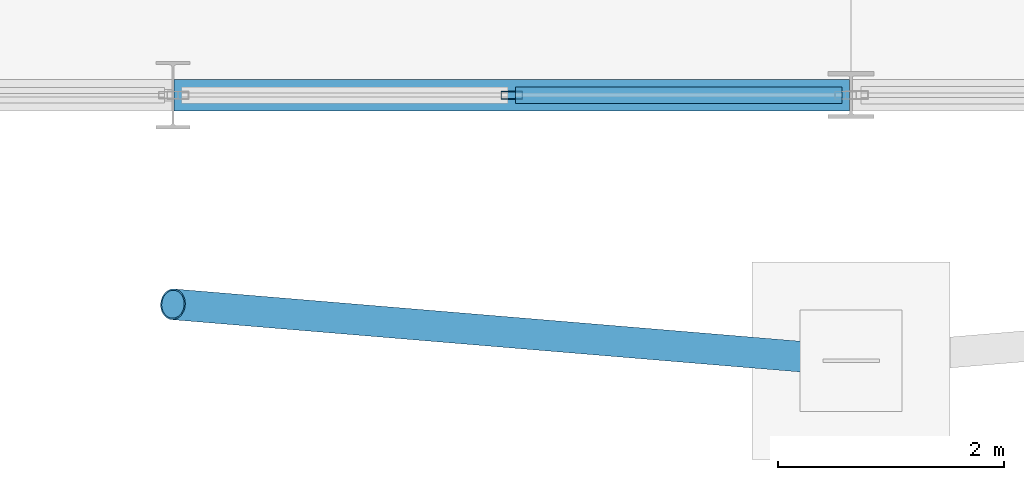
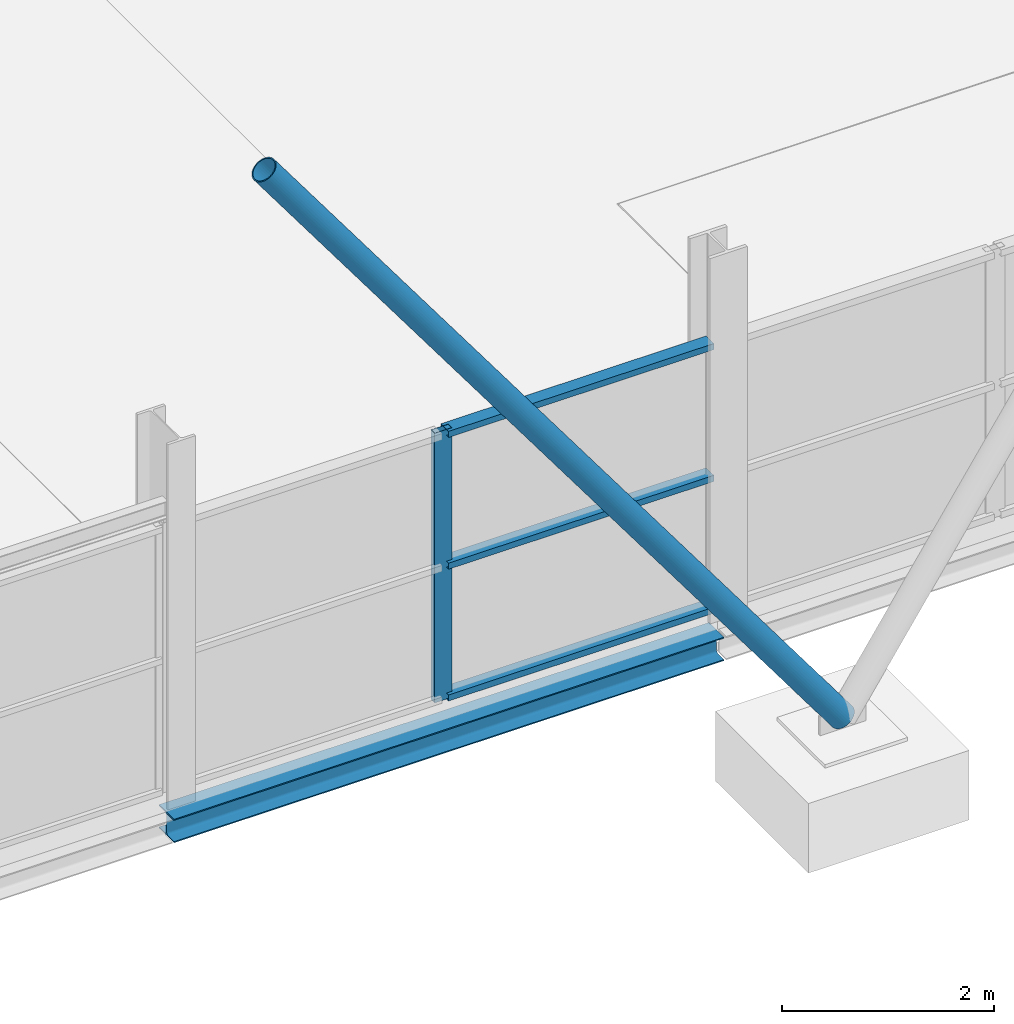
# One storey, part 27 of 140: 5 members, 1 beam, 1 element without a shape of its own.
"""IFC4 building model written with IfcOpenShell, lengths in metres."""

from ifc_helpers import new_model, si_unit, direction, frame, origin, origin_2d, place, context, subcontext, project, spatial, hollow_rectangle, hollow_circle, i_section, extrude, material, layer, layer_set, material_profile, profile_set, type_object, element, aggregate, save


model = new_model("IFC4")

# Units and contexts
model_context = context("Model", 3, precision=1e-05, world=origin(), true_north=direction((0.0, 1.0)))
body_context = subcontext(model_context, "Body", "Model", "MODEL_VIEW")
ifc_project = project(units=[si_unit("LENGTHUNIT", "METRE"), si_unit("AREAUNIT", "SQUARE_METRE"), si_unit("VOLUMEUNIT", "CUBIC_METRE"), si_unit("PLANEANGLEUNIT", "RADIAN"), si_unit("MASSUNIT", "GRAM", prefix="KILO")], contexts=[model_context])

# Site, building, storey
site_placement = place(None, origin())
site = spatial("IfcSite", under=ifc_project, at=site_placement, CompositionType="ELEMENT")
building_placement = place(site_placement, origin())
building = spatial("IfcBuilding", under=site, at=building_placement, Name="Deido Ridge Mobility Hub", CompositionType="ELEMENT")
storey_placement = place(building_placement, origin())
storey = spatial("IfcBuildingStorey", under=building, at=storey_placement, Name="L00", CompositionType="ELEMENT", Elevation=0.0)

# Member
ifc_material_1 = material(Name="Steel S355J2H EN 10210-1", Category="steel")
ifc_material_profile_1 = material_profile(ifc_material_1, hollow_circle(Radius=0.136474609375, WallThickness=0.012451171875, at=origin_2d()), Name="CHS 273x12.5")
ifc_profile_set_1 = profile_set([ifc_material_profile_1], Name="Steel S355J2H EN 10210-1")
member_type_1 = type_object("IfcMemberType", Name="MEM-BRC-CHS273", PredefinedType="BRACE", material=ifc_profile_set_1)
member_1_placement = place(storey_placement, frame((30.0, -2.35009765625, 0.1650390625), z_axis=(-0.595208239736, 0.049600686645, 0.80203922799), x_axis=(-0.083045479854, -0.996545758245, 0.0)))
element("IfcMember", 1, at=member_1_placement, inside=storey, type_object=member_type_1, Name="Deconstructivist exoskeleton raked V-strut BR1", PredefinedType="BRACE", context=body_context, shape_type="SweptSolid", body=[
    extrude(hollow_circle(Radius=0.136474609375, WallThickness=0.012451171875, at=origin_2d()), origin(), (0.0, 0.0, 1.0), 10.08056640625),
])

# Curtain wall, members
ifc_material_2 = material(Name="Anodised aluminium EN AW-6063 T6", Category="aluminium")
ifc_layer = layer(ifc_material_2, 0.22509765625, Name="Anodised aluminium EN AW-6063 T6")
ifc_layer_set = layer_set([ifc_layer], Name="Anodised aluminium EN AW-6063 T6")
curtain_wall_type = type_object("IfcCurtainWallType", Name="CW-UF-5", PredefinedType="USERDEFINED", material=ifc_layer_set)
curtain_wall_placement = place(storey_placement, origin())
curtain_wall = element("IfcCurtainWall", 2, at=curtain_wall_placement, inside=storey, type_object=curtain_wall_type, Name="Unitised curtain wall CW5", ObjectType="UNITISED FACADE", PredefinedType="USERDEFINED")
ifc_material_profile_2 = material_profile(ifc_material_2, hollow_rectangle(XDim=0.070068359375, YDim=0.18994140625, WallThickness=0.00390625, at=origin_2d()), Name="RHS 70x190x4")
ifc_profile_set_2 = profile_set([ifc_material_profile_2], Name="Anodised aluminium EN AW-6063 T6")
member_type_2 = type_object("IfcMemberType", Name="MEM-MUL-70X190", PredefinedType="MULLION", material=ifc_profile_set_2)
member_2_placement = place(storey_placement, frame((26.997802734375, 0.0, 0.0), z_axis=(0.0, 0.0, 1.0), x_axis=(0.0, 1.0, 0.0)))
member_2 = element("IfcMember", 3, at=member_2_placement, type_object=member_type_2, Name="CW5 mullion 2", PredefinedType="MULLION", context=body_context, shape_type="SweptSolid", body=[
    extrude(hollow_rectangle(XDim=0.070068359375, YDim=0.18994140625, WallThickness=0.00390625, at=origin_2d()), origin(), (0.0, 0.0, 1.0), 3.10009765625),
])
ifc_material_profile_3 = material_profile(ifc_material_2, hollow_rectangle(XDim=0.14501953125, YDim=0.070068359375, WallThickness=0.00390625, at=origin_2d()), Name="RHS 145x70x4")
ifc_profile_set_3 = profile_set([ifc_material_profile_3], Name="Anodised aluminium EN AW-6063 T6")
member_type_3 = type_object("IfcMemberType", Name="MEM-TRN-145X70", PredefinedType="USERDEFINED", material=ifc_profile_set_3)
member_3_placement = place(storey_placement, frame((27.032958984375, 0.0, 0.034912109375), z_axis=(1.0, 0.0, 0.0), x_axis=(0.0, 1.0, 0.0)))
member_3 = element("IfcMember", 4, at=member_3_placement, type_object=member_type_3, Name="CW5 transom 2.1", ObjectType="TRANSOM", PredefinedType="USERDEFINED", context=body_context, shape_type="SweptSolid", body=[
    extrude(hollow_rectangle(XDim=0.14501953125, YDim=0.070068359375, WallThickness=0.00390625, at=origin_2d()), origin(), (0.0, 0.0, 1.0), 2.885009765625),
])
member_4_placement = place(storey_placement, frame((27.032958984375, 0.0, 1.550048828125), z_axis=(1.0, 0.0, 0.0), x_axis=(0.0, 1.0, 0.0)))
member_4 = element("IfcMember", 5, at=member_4_placement, type_object=member_type_3, Name="CW5 transom 2.2", ObjectType="TRANSOM", PredefinedType="USERDEFINED", context=body_context, shape_type="SweptSolid", body=[
    extrude(hollow_rectangle(XDim=0.14501953125, YDim=0.070068359375, WallThickness=0.00390625, at=origin_2d()), origin(), (0.0, 0.0, 1.0), 2.885009765625),
])
member_5_placement = place(storey_placement, frame((27.032958984375, 0.0, 3.06494140625), z_axis=(1.0, 0.0, 0.0), x_axis=(0.0, 1.0, 0.0)))
member_5 = element("IfcMember", 6, at=member_5_placement, type_object=member_type_3, Name="CW5 transom 2.3", ObjectType="TRANSOM", PredefinedType="USERDEFINED", context=body_context, shape_type="SweptSolid", body=[
    extrude(hollow_rectangle(XDim=0.14501953125, YDim=0.070068359375, WallThickness=0.00390625, at=origin_2d()), origin(), (0.0, 0.0, 1.0), 2.885009765625),
])
aggregate(curtain_wall, [member_2, member_3, member_4, member_5])

# Beam
ifc_material_3 = material(Name="Steel S355J2 EN 10025-2", Category="steel")
ifc_material_profile_4 = material_profile(ifc_material_3, i_section(OverallWidth=0.280029296875, OverallDepth=0.27001953125, WebThickness=0.008056640625, FlangeThickness=0.012939453125, FilletRadius=0.02392578125, at=origin_2d()), Name="HEA 280")
ifc_profile_set_4 = profile_set([ifc_material_profile_4], Name="Steel S355J2 EN 10025-2")
beam_type = type_object("IfcBeamType", Name="SPD-HEA280", PredefinedType="SPANDREL", material=ifc_profile_set_4)
beam_placement = place(storey_placement, frame((24.0078125, 0.0, -0.39501953125), z_axis=(1.0, 0.0, 0.0), x_axis=(0.0, 1.0, 0.0)))
element("IfcBeam", 7, at=beam_placement, inside=storey, type_object=beam_type, Name="Floor beam SP2", PredefinedType="SPANDREL", context=body_context, shape_type="SweptSolid", body=[
    extrude(i_section(OverallWidth=0.280029296875, OverallDepth=0.27001953125, WebThickness=0.008056640625, FlangeThickness=0.012939453125, FilletRadius=0.02392578125, at=origin_2d()), origin(), (0.0, 0.0, 1.0), 5.980224609375),
])

save(model, "model.ifc")
